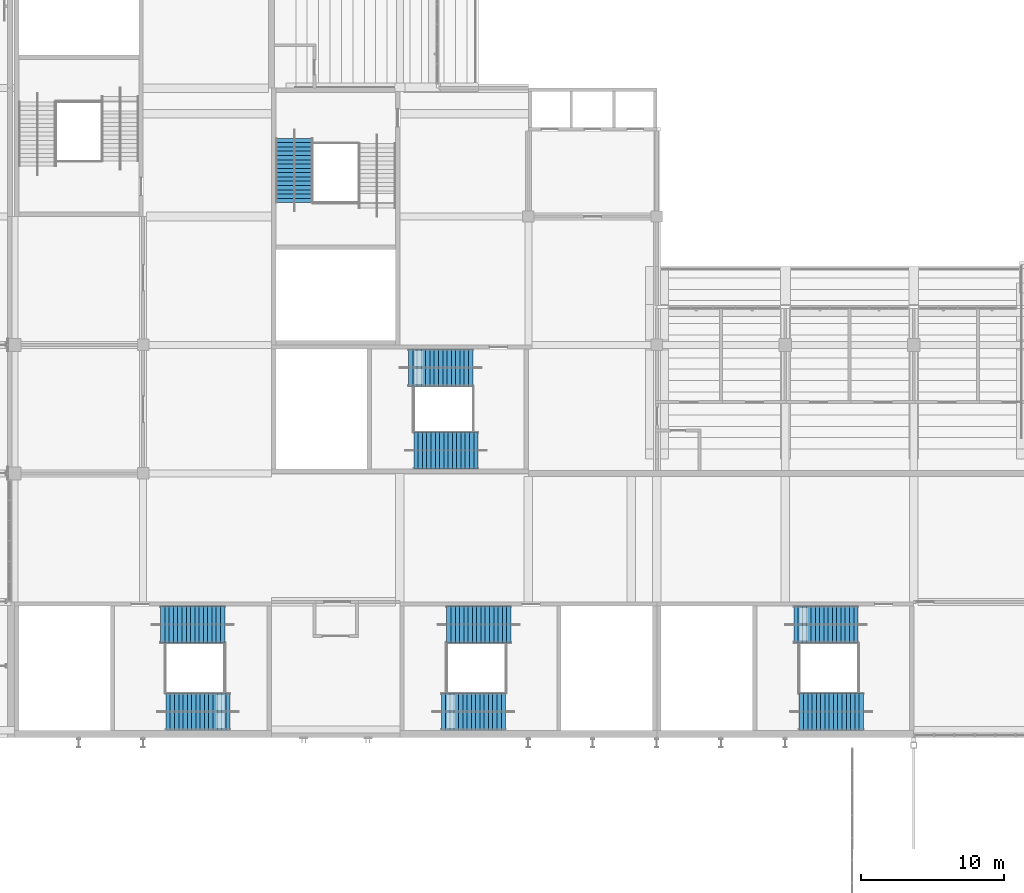
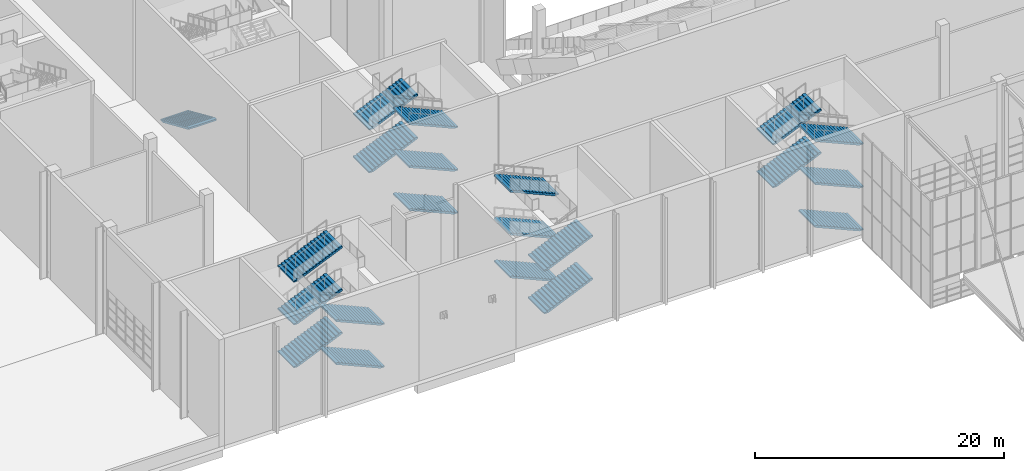
# One storey, part 96 of 182: 21 stair flights, 5 elements without a shape of their own.
"""IFC4 building model written with IfcOpenShell, lengths in metres."""

from ifc_helpers import new_model, si_unit, direction, frame, origin, place, context, subcontext, project, spatial, polyline, outline, extrude, material, type_object, element, aggregate, save


model = new_model("IFC4")

# Units and contexts
model_context = context("Model", 3, precision=1e-05, world=origin(), true_north=direction((0.0, 1.0)))
body_context = subcontext(model_context, "Body", "Model", "MODEL_VIEW")
ifc_project = project(units=[si_unit("LENGTHUNIT", "METRE"), si_unit("AREAUNIT", "SQUARE_METRE"), si_unit("VOLUMEUNIT", "CUBIC_METRE"), si_unit("PLANEANGLEUNIT", "RADIAN"), si_unit("MASSUNIT", "GRAM", prefix="KILO")], contexts=[model_context])

# Site, building, storey
site_placement = place(None, origin())
site = spatial("IfcSite", under=ifc_project, at=site_placement, CompositionType="ELEMENT")
building_placement = place(site_placement, origin())
building = spatial("IfcBuilding", under=site, at=building_placement, Name="Silverbay Arena", CompositionType="ELEMENT")
storey_placement = place(building_placement, frame((0.0, 0.0, 11.5)))
storey = spatial("IfcBuildingStorey", under=building, at=storey_placement, Name="L02", CompositionType="ELEMENT", Elevation=11.5)

# Stair, stair flights
ifc_material_1 = material(Name="Concrete Grade C45", Category="concrete")
stair_type = type_object("IfcStairType", Name="Stair 2600 wide 80 risers 131.2 x 300", PredefinedType="HALF_TURN_STAIR", material=ifc_material_1)
stair_1_placement = place(storey_placement, origin())
stair_1 = element("IfcStair", 1, at=stair_1_placement, inside=storey, type_object=stair_type, Name="Stair ST-S1 L02 to L03", PredefinedType="HALF_TURN_STAIR")
ifc_material_2 = material(Name="Concrete Grade C45", Category="concrete")
stair_flight_type = type_object("IfcStairFlightType", Name="Stair flight 2600 wide 16 risers 131.2 x 300", PredefinedType="STRAIGHT", material=ifc_material_2)
stair_flight_1_placement = place(storey_placement, frame((88.774169921875, 25.39990234375, 0.0), z_axis=(0.0, 0.0, 1.0), x_axis=(-1.0, 0.0, 0.0)))
stair_flight_1 = element("IfcStairFlight", 2, at=stair_flight_1_placement, type_object=stair_flight_type, Name="Stair ST-S1 L02 to L03 flight 1", NumberOfRisers=16, NumberOfTreads=15, PredefinedType="STRAIGHT", RiserHeight=0.13125, TreadLength=0.3, context=body_context, shape_type="SweptSolid", body=[
    extrude(outline(polyline([(0.0, 0.0), (0.0, 0.13134765625), (0.300048828125, 0.13134765625), (0.300048828125, 0.262451171875), (0.60009765625, 0.262451171875), (0.60009765625, 0.393798828125), (0.89990234375, 0.393798828125), (0.89990234375, 0.52490234375), (1.199951171875, 0.52490234375), (1.199951171875, 0.65625), (1.5, 0.65625), (1.5, 0.78759765625), (1.800048828125, 0.78759765625), (1.800048828125, 0.918701171875), (2.10009765625, 0.918701171875), (2.10009765625, 1.050048828125), (2.39990234375, 1.050048828125), (2.39990234375, 1.18115234375), (2.699951171875, 1.18115234375), (2.699951171875, 1.3125), (3.0, 1.3125), (3.0, 1.44384765625), (3.300048828125, 1.44384765625), (3.300048828125, 1.574951171875), (3.60009765625, 1.574951171875), (3.60009765625, 1.706298828125), (3.89990234375, 1.706298828125), (3.89990234375, 1.83740234375), (4.199951171875, 1.83740234375), (4.199951171875, 1.96875), (4.5, 1.96875), (4.5, 1.80517578125), (0.3740234375, 0.0), (0.0, 0.0)])), frame((0.0, 1.300048828125, 0.0), z_axis=(0.0, -1.0, 0.0), x_axis=(1.0, 0.0, 0.0)), (0.0, 0.0, 1.0), 2.60009765625),
])
stair_flight_2_placement = place(storey_placement, frame((83.89990234375, 19.300048828125, 2.10009765625), z_axis=(0.0, 0.0, 1.0), x_axis=(1.0, 0.0, 0.0)))
stair_flight_2 = element("IfcStairFlight", 3, at=stair_flight_2_placement, type_object=stair_flight_type, Name="Stair ST-S1 L02 to L03 flight 2", NumberOfRisers=16, NumberOfTreads=15, PredefinedType="STRAIGHT", RiserHeight=0.13125, TreadLength=0.3, context=body_context, shape_type="SweptSolid", body=[
    extrude(outline(polyline([(0.0, 0.0), (0.0, 0.13134765625), (0.300048828125, 0.13134765625), (0.300048828125, 0.262451171875), (0.60009765625, 0.262451171875), (0.60009765625, 0.393798828125), (0.89990234375, 0.393798828125), (0.89990234375, 0.52490234375), (1.199951171875, 0.52490234375), (1.199951171875, 0.65625), (1.5, 0.65625), (1.5, 0.78759765625), (1.800048828125, 0.78759765625), (1.800048828125, 0.918701171875), (2.10009765625, 0.918701171875), (2.10009765625, 1.050048828125), (2.39990234375, 1.050048828125), (2.39990234375, 1.18115234375), (2.699951171875, 1.18115234375), (2.699951171875, 1.3125), (3.0, 1.3125), (3.0, 1.44384765625), (3.300048828125, 1.44384765625), (3.300048828125, 1.574951171875), (3.60009765625, 1.574951171875), (3.60009765625, 1.706298828125), (3.89990234375, 1.706298828125), (3.89990234375, 1.83740234375), (4.199951171875, 1.83740234375), (4.199951171875, 1.96875), (4.5, 1.96875), (4.5, 1.80517578125), (0.3740234375, 0.0), (0.0, 0.0)])), frame((0.0, 1.300048828125, 0.0), z_axis=(0.0, -1.0, 0.0), x_axis=(1.0, 0.0, 0.0)), (0.0, 0.0, 1.0), 2.60009765625),
])
stair_flight_3_placement = place(storey_placement, frame((88.774169921875, 25.39990234375, 4.199951171875), z_axis=(0.0, 0.0, 1.0), x_axis=(-1.0, 0.0, 0.0)))
stair_flight_3 = element("IfcStairFlight", 4, at=stair_flight_3_placement, type_object=stair_flight_type, Name="Stair ST-S1 L02 to L03 flight 3", NumberOfRisers=16, NumberOfTreads=15, PredefinedType="STRAIGHT", RiserHeight=0.13125, TreadLength=0.3, context=body_context, shape_type="SweptSolid", body=[
    extrude(outline(polyline([(0.0, 0.0), (0.0, 0.13134765625), (0.300048828125, 0.13134765625), (0.300048828125, 0.262451171875), (0.60009765625, 0.262451171875), (0.60009765625, 0.393798828125), (0.89990234375, 0.393798828125), (0.89990234375, 0.52490234375), (1.199951171875, 0.52490234375), (1.199951171875, 0.65625), (1.5, 0.65625), (1.5, 0.78759765625), (1.800048828125, 0.78759765625), (1.800048828125, 0.918701171875), (2.10009765625, 0.918701171875), (2.10009765625, 1.050048828125), (2.39990234375, 1.050048828125), (2.39990234375, 1.18115234375), (2.699951171875, 1.18115234375), (2.699951171875, 1.3125), (3.0, 1.3125), (3.0, 1.44384765625), (3.300048828125, 1.44384765625), (3.300048828125, 1.574951171875), (3.60009765625, 1.574951171875), (3.60009765625, 1.706298828125), (3.89990234375, 1.706298828125), (3.89990234375, 1.83740234375), (4.199951171875, 1.83740234375), (4.199951171875, 1.96875), (4.5, 1.96875), (4.5, 1.80517578125), (0.3740234375, 0.0), (0.0, 0.0)])), frame((0.0, 1.300048828125, 0.0), z_axis=(0.0, -1.0, 0.0), x_axis=(1.0, 0.0, 0.0)), (0.0, 0.0, 1.0), 2.60009765625),
])
stair_flight_4_placement = place(storey_placement, frame((83.89990234375, 19.300048828125, 6.300048828125), z_axis=(0.0, 0.0, 1.0), x_axis=(1.0, 0.0, 0.0)))
stair_flight_4 = element("IfcStairFlight", 5, at=stair_flight_4_placement, type_object=stair_flight_type, Name="Stair ST-S1 L02 to L03 flight 4", NumberOfRisers=16, NumberOfTreads=15, PredefinedType="STRAIGHT", RiserHeight=0.13125, TreadLength=0.3, context=body_context, shape_type="SweptSolid", body=[
    extrude(outline(polyline([(0.0, 0.0), (0.0, 0.13134765625), (0.300048828125, 0.13134765625), (0.300048828125, 0.262451171875), (0.60009765625, 0.262451171875), (0.60009765625, 0.393798828125), (0.89990234375, 0.393798828125), (0.89990234375, 0.52490234375), (1.199951171875, 0.52490234375), (1.199951171875, 0.65625), (1.5, 0.65625), (1.5, 0.78759765625), (1.800048828125, 0.78759765625), (1.800048828125, 0.918701171875), (2.10009765625, 0.918701171875), (2.10009765625, 1.050048828125), (2.39990234375, 1.050048828125), (2.39990234375, 1.18115234375), (2.699951171875, 1.18115234375), (2.699951171875, 1.3125), (3.0, 1.3125), (3.0, 1.44384765625), (3.300048828125, 1.44384765625), (3.300048828125, 1.574951171875), (3.60009765625, 1.574951171875), (3.60009765625, 1.706298828125), (3.89990234375, 1.706298828125), (3.89990234375, 1.83740234375), (4.199951171875, 1.83740234375), (4.199951171875, 1.96875), (4.5, 1.96875), (4.5, 1.80517578125), (0.3740234375, 0.0), (0.0, 0.0)])), frame((0.0, 1.300048828125, 0.0), z_axis=(0.0, -1.0, 0.0), x_axis=(1.0, 0.0, 0.0)), (0.0, 0.0, 1.0), 2.60009765625),
])
stair_flight_5_placement = place(storey_placement, frame((88.774169921875, 25.39990234375, 8.39990234375), z_axis=(0.0, 0.0, 1.0), x_axis=(-1.0, 0.0, 0.0)))
stair_flight_5 = element("IfcStairFlight", 6, at=stair_flight_5_placement, type_object=stair_flight_type, Name="Stair ST-S1 L02 to L03 flight 5", NumberOfRisers=16, NumberOfTreads=15, PredefinedType="STRAIGHT", RiserHeight=0.13125, TreadLength=0.3, context=body_context, shape_type="SweptSolid", body=[
    extrude(outline(polyline([(0.0, 0.0), (0.0, 0.13134765625), (0.300048828125, 0.13134765625), (0.300048828125, 0.262451171875), (0.60009765625, 0.262451171875), (0.60009765625, 0.393798828125), (0.89990234375, 0.393798828125), (0.89990234375, 0.52490234375), (1.199951171875, 0.52490234375), (1.199951171875, 0.65625), (1.5, 0.65625), (1.5, 0.78759765625), (1.800048828125, 0.78759765625), (1.800048828125, 0.918701171875), (2.10009765625, 0.918701171875), (2.10009765625, 1.050048828125), (2.39990234375, 1.050048828125), (2.39990234375, 1.18115234375), (2.699951171875, 1.18115234375), (2.699951171875, 1.3125), (3.0, 1.3125), (3.0, 1.44384765625), (3.300048828125, 1.44384765625), (3.300048828125, 1.574951171875), (3.60009765625, 1.574951171875), (3.60009765625, 1.706298828125), (3.89990234375, 1.706298828125), (3.89990234375, 1.83740234375), (4.199951171875, 1.83740234375), (4.199951171875, 1.96875), (4.5, 1.96875), (4.5, 1.80517578125), (0.3740234375, 0.0), (0.0, 0.0)])), frame((0.0, 1.300048828125, 0.0), z_axis=(0.0, -1.0, 0.0), x_axis=(1.0, 0.0, 0.0)), (0.0, 0.0, 1.0), 2.60009765625),
])
aggregate(stair_1, [stair_flight_1, stair_flight_2, stair_flight_3, stair_flight_4, stair_flight_5])

stair_2_placement = place(storey_placement, origin())
stair_2 = element("IfcStair", 7, at=stair_2_placement, inside=storey, type_object=stair_type, Name="Stair ST-S2 L02 to L03", PredefinedType="HALF_TURN_STAIR")
stair_flight_6_placement = place(storey_placement, frame((113.47412109375, 19.300048828125, 0.0), z_axis=(0.0, 0.0, 1.0), x_axis=(-1.0, 0.0, 0.0)))
stair_flight_6 = element("IfcStairFlight", 8, at=stair_flight_6_placement, type_object=stair_flight_type, Name="Stair ST-S2 L02 to L03 flight 1", NumberOfRisers=16, NumberOfTreads=15, PredefinedType="STRAIGHT", RiserHeight=0.13125, TreadLength=0.3, context=body_context, shape_type="SweptSolid", body=[
    extrude(outline(polyline([(0.0, 0.0), (0.0, 0.13134765625), (0.300048828125, 0.13134765625), (0.300048828125, 0.262451171875), (0.60009765625, 0.262451171875), (0.60009765625, 0.393798828125), (0.89990234375, 0.393798828125), (0.89990234375, 0.52490234375), (1.199951171875, 0.52490234375), (1.199951171875, 0.65625), (1.5, 0.65625), (1.5, 0.78759765625), (1.800048828125, 0.78759765625), (1.800048828125, 0.918701171875), (2.10009765625, 0.918701171875), (2.10009765625, 1.050048828125), (2.39990234375, 1.050048828125), (2.39990234375, 1.18115234375), (2.699951171875, 1.18115234375), (2.699951171875, 1.3125), (3.0, 1.3125), (3.0, 1.44384765625), (3.300048828125, 1.44384765625), (3.300048828125, 1.574951171875), (3.60009765625, 1.574951171875), (3.60009765625, 1.706298828125), (3.89990234375, 1.706298828125), (3.89990234375, 1.83740234375), (4.199951171875, 1.83740234375), (4.199951171875, 1.96875), (4.5, 1.96875), (4.5, 1.80517578125), (0.3740234375, 0.0), (0.0, 0.0)])), frame((0.0, 1.300048828125, 0.0), z_axis=(0.0, -1.0, 0.0), x_axis=(1.0, 0.0, 0.0)), (0.0, 0.0, 1.0), 2.60009765625),
])
stair_flight_7_placement = place(storey_placement, frame((108.60009765625, 25.39990234375, 2.10009765625), z_axis=(0.0, 0.0, 1.0), x_axis=(1.0, 0.0, 0.0)))
stair_flight_7 = element("IfcStairFlight", 9, at=stair_flight_7_placement, type_object=stair_flight_type, Name="Stair ST-S2 L02 to L03 flight 2", NumberOfRisers=16, NumberOfTreads=15, PredefinedType="STRAIGHT", RiserHeight=0.13125, TreadLength=0.3, context=body_context, shape_type="SweptSolid", body=[
    extrude(outline(polyline([(0.0, 0.0), (0.0, 0.13134765625), (0.300048828125, 0.13134765625), (0.300048828125, 0.262451171875), (0.60009765625, 0.262451171875), (0.60009765625, 0.393798828125), (0.89990234375, 0.393798828125), (0.89990234375, 0.52490234375), (1.199951171875, 0.52490234375), (1.199951171875, 0.65625), (1.5, 0.65625), (1.5, 0.78759765625), (1.800048828125, 0.78759765625), (1.800048828125, 0.918701171875), (2.10009765625, 0.918701171875), (2.10009765625, 1.050048828125), (2.39990234375, 1.050048828125), (2.39990234375, 1.18115234375), (2.699951171875, 1.18115234375), (2.699951171875, 1.3125), (3.0, 1.3125), (3.0, 1.44384765625), (3.300048828125, 1.44384765625), (3.300048828125, 1.574951171875), (3.60009765625, 1.574951171875), (3.60009765625, 1.706298828125), (3.89990234375, 1.706298828125), (3.89990234375, 1.83740234375), (4.199951171875, 1.83740234375), (4.199951171875, 1.96875), (4.5, 1.96875), (4.5, 1.80517578125), (0.3740234375, 0.0), (0.0, 0.0)])), frame((0.0, 1.300048828125, 0.0), z_axis=(0.0, -1.0, 0.0), x_axis=(1.0, 0.0, 0.0)), (0.0, 0.0, 1.0), 2.60009765625),
])
stair_flight_8_placement = place(storey_placement, frame((113.47412109375, 19.300048828125, 4.199951171875), z_axis=(0.0, 0.0, 1.0), x_axis=(-1.0, 0.0, 0.0)))
stair_flight_8 = element("IfcStairFlight", 10, at=stair_flight_8_placement, type_object=stair_flight_type, Name="Stair ST-S2 L02 to L03 flight 3", NumberOfRisers=16, NumberOfTreads=15, PredefinedType="STRAIGHT", RiserHeight=0.13125, TreadLength=0.3, context=body_context, shape_type="SweptSolid", body=[
    extrude(outline(polyline([(0.0, 0.0), (0.0, 0.13134765625), (0.300048828125, 0.13134765625), (0.300048828125, 0.262451171875), (0.60009765625, 0.262451171875), (0.60009765625, 0.393798828125), (0.89990234375, 0.393798828125), (0.89990234375, 0.52490234375), (1.199951171875, 0.52490234375), (1.199951171875, 0.65625), (1.5, 0.65625), (1.5, 0.78759765625), (1.800048828125, 0.78759765625), (1.800048828125, 0.918701171875), (2.10009765625, 0.918701171875), (2.10009765625, 1.050048828125), (2.39990234375, 1.050048828125), (2.39990234375, 1.18115234375), (2.699951171875, 1.18115234375), (2.699951171875, 1.3125), (3.0, 1.3125), (3.0, 1.44384765625), (3.300048828125, 1.44384765625), (3.300048828125, 1.574951171875), (3.60009765625, 1.574951171875), (3.60009765625, 1.706298828125), (3.89990234375, 1.706298828125), (3.89990234375, 1.83740234375), (4.199951171875, 1.83740234375), (4.199951171875, 1.96875), (4.5, 1.96875), (4.5, 1.80517578125), (0.3740234375, 0.0), (0.0, 0.0)])), frame((0.0, 1.300048828125, 0.0), z_axis=(0.0, -1.0, 0.0), x_axis=(1.0, 0.0, 0.0)), (0.0, 0.0, 1.0), 2.60009765625),
])
stair_flight_9_placement = place(storey_placement, frame((108.60009765625, 25.39990234375, 6.300048828125), z_axis=(0.0, 0.0, 1.0), x_axis=(1.0, 0.0, 0.0)))
stair_flight_9 = element("IfcStairFlight", 11, at=stair_flight_9_placement, type_object=stair_flight_type, Name="Stair ST-S2 L02 to L03 flight 4", NumberOfRisers=16, NumberOfTreads=15, PredefinedType="STRAIGHT", RiserHeight=0.13125, TreadLength=0.3, context=body_context, shape_type="SweptSolid", body=[
    extrude(outline(polyline([(0.0, 0.0), (0.0, 0.13134765625), (0.300048828125, 0.13134765625), (0.300048828125, 0.262451171875), (0.60009765625, 0.262451171875), (0.60009765625, 0.393798828125), (0.89990234375, 0.393798828125), (0.89990234375, 0.52490234375), (1.199951171875, 0.52490234375), (1.199951171875, 0.65625), (1.5, 0.65625), (1.5, 0.78759765625), (1.800048828125, 0.78759765625), (1.800048828125, 0.918701171875), (2.10009765625, 0.918701171875), (2.10009765625, 1.050048828125), (2.39990234375, 1.050048828125), (2.39990234375, 1.18115234375), (2.699951171875, 1.18115234375), (2.699951171875, 1.3125), (3.0, 1.3125), (3.0, 1.44384765625), (3.300048828125, 1.44384765625), (3.300048828125, 1.574951171875), (3.60009765625, 1.574951171875), (3.60009765625, 1.706298828125), (3.89990234375, 1.706298828125), (3.89990234375, 1.83740234375), (4.199951171875, 1.83740234375), (4.199951171875, 1.96875), (4.5, 1.96875), (4.5, 1.80517578125), (0.3740234375, 0.0), (0.0, 0.0)])), frame((0.0, 1.300048828125, 0.0), z_axis=(0.0, -1.0, 0.0), x_axis=(1.0, 0.0, 0.0)), (0.0, 0.0, 1.0), 2.60009765625),
])
stair_flight_10_placement = place(storey_placement, frame((113.47412109375, 19.300048828125, 8.39990234375), z_axis=(0.0, 0.0, 1.0), x_axis=(-1.0, 0.0, 0.0)))
stair_flight_10 = element("IfcStairFlight", 12, at=stair_flight_10_placement, type_object=stair_flight_type, Name="Stair ST-S2 L02 to L03 flight 5", NumberOfRisers=16, NumberOfTreads=15, PredefinedType="STRAIGHT", RiserHeight=0.13125, TreadLength=0.3, context=body_context, shape_type="SweptSolid", body=[
    extrude(outline(polyline([(0.0, 0.0), (0.0, 0.13134765625), (0.300048828125, 0.13134765625), (0.300048828125, 0.262451171875), (0.60009765625, 0.262451171875), (0.60009765625, 0.393798828125), (0.89990234375, 0.393798828125), (0.89990234375, 0.52490234375), (1.199951171875, 0.52490234375), (1.199951171875, 0.65625), (1.5, 0.65625), (1.5, 0.78759765625), (1.800048828125, 0.78759765625), (1.800048828125, 0.918701171875), (2.10009765625, 0.918701171875), (2.10009765625, 1.050048828125), (2.39990234375, 1.050048828125), (2.39990234375, 1.18115234375), (2.699951171875, 1.18115234375), (2.699951171875, 1.3125), (3.0, 1.3125), (3.0, 1.44384765625), (3.300048828125, 1.44384765625), (3.300048828125, 1.574951171875), (3.60009765625, 1.574951171875), (3.60009765625, 1.706298828125), (3.89990234375, 1.706298828125), (3.89990234375, 1.83740234375), (4.199951171875, 1.83740234375), (4.199951171875, 1.96875), (4.5, 1.96875), (4.5, 1.80517578125), (0.3740234375, 0.0), (0.0, 0.0)])), frame((0.0, 1.300048828125, 0.0), z_axis=(0.0, -1.0, 0.0), x_axis=(1.0, 0.0, 0.0)), (0.0, 0.0, 1.0), 2.60009765625),
])
aggregate(stair_2, [stair_flight_6, stair_flight_7, stair_flight_8, stair_flight_9, stair_flight_10])

stair_3_placement = place(storey_placement, origin())
stair_3 = element("IfcStair", 13, at=stair_3_placement, inside=storey, type_object=stair_type, Name="Stair ST-S5 L02 to L03", PredefinedType="HALF_TURN_STAIR")
stair_flight_11_placement = place(storey_placement, frame((64.225830078125, 25.39990234375, 0.0), z_axis=(0.0, 0.0, 1.0), x_axis=(1.0, 0.0, 0.0)))
stair_flight_11 = element("IfcStairFlight", 14, at=stair_flight_11_placement, type_object=stair_flight_type, Name="Stair ST-S5 L02 to L03 flight 1", NumberOfRisers=16, NumberOfTreads=15, PredefinedType="STRAIGHT", RiserHeight=0.13125, TreadLength=0.3, context=body_context, shape_type="SweptSolid", body=[
    extrude(outline(polyline([(0.0, 0.0), (0.0, 0.13134765625), (0.300048828125, 0.13134765625), (0.300048828125, 0.262451171875), (0.60009765625, 0.262451171875), (0.60009765625, 0.393798828125), (0.89990234375, 0.393798828125), (0.89990234375, 0.52490234375), (1.199951171875, 0.52490234375), (1.199951171875, 0.65625), (1.5, 0.65625), (1.5, 0.78759765625), (1.800048828125, 0.78759765625), (1.800048828125, 0.918701171875), (2.10009765625, 0.918701171875), (2.10009765625, 1.050048828125), (2.39990234375, 1.050048828125), (2.39990234375, 1.18115234375), (2.699951171875, 1.18115234375), (2.699951171875, 1.3125), (3.0, 1.3125), (3.0, 1.44384765625), (3.300048828125, 1.44384765625), (3.300048828125, 1.574951171875), (3.60009765625, 1.574951171875), (3.60009765625, 1.706298828125), (3.89990234375, 1.706298828125), (3.89990234375, 1.83740234375), (4.199951171875, 1.83740234375), (4.199951171875, 1.96875), (4.5, 1.96875), (4.5, 1.80517578125), (0.3740234375, 0.0), (0.0, 0.0)])), frame((0.0, 1.300048828125, 0.0), z_axis=(0.0, -1.0, 0.0), x_axis=(1.0, 0.0, 0.0)), (0.0, 0.0, 1.0), 2.60009765625),
])
stair_flight_12_placement = place(storey_placement, frame((69.10009765625, 19.300048828125, 2.10009765625), z_axis=(0.0, 0.0, 1.0), x_axis=(-1.0, 0.0, 0.0)))
stair_flight_12 = element("IfcStairFlight", 15, at=stair_flight_12_placement, type_object=stair_flight_type, Name="Stair ST-S5 L02 to L03 flight 2", NumberOfRisers=16, NumberOfTreads=15, PredefinedType="STRAIGHT", RiserHeight=0.13125, TreadLength=0.3, context=body_context, shape_type="SweptSolid", body=[
    extrude(outline(polyline([(0.0, 0.0), (0.0, 0.13134765625), (0.300048828125, 0.13134765625), (0.300048828125, 0.262451171875), (0.60009765625, 0.262451171875), (0.60009765625, 0.393798828125), (0.89990234375, 0.393798828125), (0.89990234375, 0.52490234375), (1.199951171875, 0.52490234375), (1.199951171875, 0.65625), (1.5, 0.65625), (1.5, 0.78759765625), (1.800048828125, 0.78759765625), (1.800048828125, 0.918701171875), (2.10009765625, 0.918701171875), (2.10009765625, 1.050048828125), (2.39990234375, 1.050048828125), (2.39990234375, 1.18115234375), (2.699951171875, 1.18115234375), (2.699951171875, 1.3125), (3.0, 1.3125), (3.0, 1.44384765625), (3.300048828125, 1.44384765625), (3.300048828125, 1.574951171875), (3.60009765625, 1.574951171875), (3.60009765625, 1.706298828125), (3.89990234375, 1.706298828125), (3.89990234375, 1.83740234375), (4.199951171875, 1.83740234375), (4.199951171875, 1.96875), (4.5, 1.96875), (4.5, 1.80517578125), (0.3740234375, 0.0), (0.0, 0.0)])), frame((0.0, 1.300048828125, 0.0), z_axis=(0.0, -1.0, 0.0), x_axis=(1.0, 0.0, 0.0)), (0.0, 0.0, 1.0), 2.60009765625),
])
stair_flight_13_placement = place(storey_placement, frame((64.225830078125, 25.39990234375, 4.199951171875), z_axis=(0.0, 0.0, 1.0), x_axis=(1.0, 0.0, 0.0)))
stair_flight_13 = element("IfcStairFlight", 16, at=stair_flight_13_placement, type_object=stair_flight_type, Name="Stair ST-S5 L02 to L03 flight 3", NumberOfRisers=16, NumberOfTreads=15, PredefinedType="STRAIGHT", RiserHeight=0.13125, TreadLength=0.3, context=body_context, shape_type="SweptSolid", body=[
    extrude(outline(polyline([(0.0, 0.0), (0.0, 0.13134765625), (0.300048828125, 0.13134765625), (0.300048828125, 0.262451171875), (0.60009765625, 0.262451171875), (0.60009765625, 0.393798828125), (0.89990234375, 0.393798828125), (0.89990234375, 0.52490234375), (1.199951171875, 0.52490234375), (1.199951171875, 0.65625), (1.5, 0.65625), (1.5, 0.78759765625), (1.800048828125, 0.78759765625), (1.800048828125, 0.918701171875), (2.10009765625, 0.918701171875), (2.10009765625, 1.050048828125), (2.39990234375, 1.050048828125), (2.39990234375, 1.18115234375), (2.699951171875, 1.18115234375), (2.699951171875, 1.3125), (3.0, 1.3125), (3.0, 1.44384765625), (3.300048828125, 1.44384765625), (3.300048828125, 1.574951171875), (3.60009765625, 1.574951171875), (3.60009765625, 1.706298828125), (3.89990234375, 1.706298828125), (3.89990234375, 1.83740234375), (4.199951171875, 1.83740234375), (4.199951171875, 1.96875), (4.5, 1.96875), (4.5, 1.80517578125), (0.3740234375, 0.0), (0.0, 0.0)])), frame((0.0, 1.300048828125, 0.0), z_axis=(0.0, -1.0, 0.0), x_axis=(1.0, 0.0, 0.0)), (0.0, 0.0, 1.0), 2.60009765625),
])
stair_flight_14_placement = place(storey_placement, frame((69.10009765625, 19.300048828125, 6.300048828125), z_axis=(0.0, 0.0, 1.0), x_axis=(-1.0, 0.0, 0.0)))
stair_flight_14 = element("IfcStairFlight", 17, at=stair_flight_14_placement, type_object=stair_flight_type, Name="Stair ST-S5 L02 to L03 flight 4", NumberOfRisers=16, NumberOfTreads=15, PredefinedType="STRAIGHT", RiserHeight=0.13125, TreadLength=0.3, context=body_context, shape_type="SweptSolid", body=[
    extrude(outline(polyline([(0.0, 0.0), (0.0, 0.13134765625), (0.300048828125, 0.13134765625), (0.300048828125, 0.262451171875), (0.60009765625, 0.262451171875), (0.60009765625, 0.393798828125), (0.89990234375, 0.393798828125), (0.89990234375, 0.52490234375), (1.199951171875, 0.52490234375), (1.199951171875, 0.65625), (1.5, 0.65625), (1.5, 0.78759765625), (1.800048828125, 0.78759765625), (1.800048828125, 0.918701171875), (2.10009765625, 0.918701171875), (2.10009765625, 1.050048828125), (2.39990234375, 1.050048828125), (2.39990234375, 1.18115234375), (2.699951171875, 1.18115234375), (2.699951171875, 1.3125), (3.0, 1.3125), (3.0, 1.44384765625), (3.300048828125, 1.44384765625), (3.300048828125, 1.574951171875), (3.60009765625, 1.574951171875), (3.60009765625, 1.706298828125), (3.89990234375, 1.706298828125), (3.89990234375, 1.83740234375), (4.199951171875, 1.83740234375), (4.199951171875, 1.96875), (4.5, 1.96875), (4.5, 1.80517578125), (0.3740234375, 0.0), (0.0, 0.0)])), frame((0.0, 1.300048828125, 0.0), z_axis=(0.0, -1.0, 0.0), x_axis=(1.0, 0.0, 0.0)), (0.0, 0.0, 1.0), 2.60009765625),
])
stair_flight_15_placement = place(storey_placement, frame((64.225830078125, 25.39990234375, 8.39990234375), z_axis=(0.0, 0.0, 1.0), x_axis=(1.0, 0.0, 0.0)))
stair_flight_15 = element("IfcStairFlight", 18, at=stair_flight_15_placement, type_object=stair_flight_type, Name="Stair ST-S5 L02 to L03 flight 5", NumberOfRisers=16, NumberOfTreads=15, PredefinedType="STRAIGHT", RiserHeight=0.13125, TreadLength=0.3, context=body_context, shape_type="SweptSolid", body=[
    extrude(outline(polyline([(0.0, 0.0), (0.0, 0.13134765625), (0.300048828125, 0.13134765625), (0.300048828125, 0.262451171875), (0.60009765625, 0.262451171875), (0.60009765625, 0.393798828125), (0.89990234375, 0.393798828125), (0.89990234375, 0.52490234375), (1.199951171875, 0.52490234375), (1.199951171875, 0.65625), (1.5, 0.65625), (1.5, 0.78759765625), (1.800048828125, 0.78759765625), (1.800048828125, 0.918701171875), (2.10009765625, 0.918701171875), (2.10009765625, 1.050048828125), (2.39990234375, 1.050048828125), (2.39990234375, 1.18115234375), (2.699951171875, 1.18115234375), (2.699951171875, 1.3125), (3.0, 1.3125), (3.0, 1.44384765625), (3.300048828125, 1.44384765625), (3.300048828125, 1.574951171875), (3.60009765625, 1.574951171875), (3.60009765625, 1.706298828125), (3.89990234375, 1.706298828125), (3.89990234375, 1.83740234375), (4.199951171875, 1.83740234375), (4.199951171875, 1.96875), (4.5, 1.96875), (4.5, 1.80517578125), (0.3740234375, 0.0), (0.0, 0.0)])), frame((0.0, 1.300048828125, 0.0), z_axis=(0.0, -1.0, 0.0), x_axis=(1.0, 0.0, 0.0)), (0.0, 0.0, 1.0), 2.60009765625),
])
aggregate(stair_3, [stair_flight_11, stair_flight_12, stair_flight_13, stair_flight_14, stair_flight_15])

stair_4_placement = place(storey_placement, origin())
stair_4 = element("IfcStair", 19, at=stair_4_placement, inside=storey, type_object=stair_type, Name="Stair ST-SW1 L02 to L03", PredefinedType="HALF_TURN_STAIR")
stair_flight_16_placement = place(storey_placement, frame((86.47412109375, 37.60009765625, 0.0), z_axis=(0.0, 0.0, 1.0), x_axis=(-1.0, 0.0, 0.0)))
stair_flight_16 = element("IfcStairFlight", 20, at=stair_flight_16_placement, type_object=stair_flight_type, Name="Stair ST-SW1 L02 to L03 flight 1", NumberOfRisers=16, NumberOfTreads=15, PredefinedType="STRAIGHT", RiserHeight=0.13125, TreadLength=0.3, context=body_context, shape_type="SweptSolid", body=[
    extrude(outline(polyline([(0.0, 0.0), (0.0, 0.13134765625), (0.300048828125, 0.13134765625), (0.300048828125, 0.262451171875), (0.60009765625, 0.262451171875), (0.60009765625, 0.393798828125), (0.89990234375, 0.393798828125), (0.89990234375, 0.52490234375), (1.199951171875, 0.52490234375), (1.199951171875, 0.65625), (1.5, 0.65625), (1.5, 0.78759765625), (1.800048828125, 0.78759765625), (1.800048828125, 0.918701171875), (2.10009765625, 0.918701171875), (2.10009765625, 1.050048828125), (2.39990234375, 1.050048828125), (2.39990234375, 1.18115234375), (2.699951171875, 1.18115234375), (2.699951171875, 1.3125), (3.0, 1.3125), (3.0, 1.44384765625), (3.300048828125, 1.44384765625), (3.300048828125, 1.574951171875), (3.60009765625, 1.574951171875), (3.60009765625, 1.706298828125), (3.89990234375, 1.706298828125), (3.89990234375, 1.83740234375), (4.199951171875, 1.83740234375), (4.199951171875, 1.96875), (4.5, 1.96875), (4.5, 1.80517578125), (0.3740234375, 0.0), (0.0, 0.0)])), frame((0.0, 1.300048828125, 0.0), z_axis=(0.0, -1.0, 0.0), x_axis=(1.0, 0.0, 0.0)), (0.0, 0.0, 1.0), 2.60009765625),
])
stair_flight_17_placement = place(storey_placement, frame((81.60009765625, 43.39990234375, 2.10009765625), z_axis=(0.0, 0.0, 1.0), x_axis=(1.0, 0.0, 0.0)))
stair_flight_17 = element("IfcStairFlight", 21, at=stair_flight_17_placement, type_object=stair_flight_type, Name="Stair ST-SW1 L02 to L03 flight 2", NumberOfRisers=16, NumberOfTreads=15, PredefinedType="STRAIGHT", RiserHeight=0.13125, TreadLength=0.3, context=body_context, shape_type="SweptSolid", body=[
    extrude(outline(polyline([(0.0, 0.0), (0.0, 0.13134765625), (0.300048828125, 0.13134765625), (0.300048828125, 0.262451171875), (0.60009765625, 0.262451171875), (0.60009765625, 0.393798828125), (0.89990234375, 0.393798828125), (0.89990234375, 0.52490234375), (1.199951171875, 0.52490234375), (1.199951171875, 0.65625), (1.5, 0.65625), (1.5, 0.78759765625), (1.800048828125, 0.78759765625), (1.800048828125, 0.918701171875), (2.10009765625, 0.918701171875), (2.10009765625, 1.050048828125), (2.39990234375, 1.050048828125), (2.39990234375, 1.18115234375), (2.699951171875, 1.18115234375), (2.699951171875, 1.3125), (3.0, 1.3125), (3.0, 1.44384765625), (3.300048828125, 1.44384765625), (3.300048828125, 1.574951171875), (3.60009765625, 1.574951171875), (3.60009765625, 1.706298828125), (3.89990234375, 1.706298828125), (3.89990234375, 1.83740234375), (4.199951171875, 1.83740234375), (4.199951171875, 1.96875), (4.5, 1.96875), (4.5, 1.80517578125), (0.3740234375, 0.0), (0.0, 0.0)])), frame((0.0, 1.300048828125, 0.0), z_axis=(0.0, -1.0, 0.0), x_axis=(1.0, 0.0, 0.0)), (0.0, 0.0, 1.0), 2.60009765625),
])
stair_flight_18_placement = place(storey_placement, frame((86.47412109375, 37.60009765625, 4.199951171875), z_axis=(0.0, 0.0, 1.0), x_axis=(-1.0, 0.0, 0.0)))
stair_flight_18 = element("IfcStairFlight", 22, at=stair_flight_18_placement, type_object=stair_flight_type, Name="Stair ST-SW1 L02 to L03 flight 3", NumberOfRisers=16, NumberOfTreads=15, PredefinedType="STRAIGHT", RiserHeight=0.13125, TreadLength=0.3, context=body_context, shape_type="SweptSolid", body=[
    extrude(outline(polyline([(0.0, 0.0), (0.0, 0.13134765625), (0.300048828125, 0.13134765625), (0.300048828125, 0.262451171875), (0.60009765625, 0.262451171875), (0.60009765625, 0.393798828125), (0.89990234375, 0.393798828125), (0.89990234375, 0.52490234375), (1.199951171875, 0.52490234375), (1.199951171875, 0.65625), (1.5, 0.65625), (1.5, 0.78759765625), (1.800048828125, 0.78759765625), (1.800048828125, 0.918701171875), (2.10009765625, 0.918701171875), (2.10009765625, 1.050048828125), (2.39990234375, 1.050048828125), (2.39990234375, 1.18115234375), (2.699951171875, 1.18115234375), (2.699951171875, 1.3125), (3.0, 1.3125), (3.0, 1.44384765625), (3.300048828125, 1.44384765625), (3.300048828125, 1.574951171875), (3.60009765625, 1.574951171875), (3.60009765625, 1.706298828125), (3.89990234375, 1.706298828125), (3.89990234375, 1.83740234375), (4.199951171875, 1.83740234375), (4.199951171875, 1.96875), (4.5, 1.96875), (4.5, 1.80517578125), (0.3740234375, 0.0), (0.0, 0.0)])), frame((0.0, 1.300048828125, 0.0), z_axis=(0.0, -1.0, 0.0), x_axis=(1.0, 0.0, 0.0)), (0.0, 0.0, 1.0), 2.60009765625),
])
stair_flight_19_placement = place(storey_placement, frame((81.60009765625, 43.39990234375, 6.300048828125), z_axis=(0.0, 0.0, 1.0), x_axis=(1.0, 0.0, 0.0)))
stair_flight_19 = element("IfcStairFlight", 23, at=stair_flight_19_placement, type_object=stair_flight_type, Name="Stair ST-SW1 L02 to L03 flight 4", NumberOfRisers=16, NumberOfTreads=15, PredefinedType="STRAIGHT", RiserHeight=0.13125, TreadLength=0.3, context=body_context, shape_type="SweptSolid", body=[
    extrude(outline(polyline([(0.0, 0.0), (0.0, 0.13134765625), (0.300048828125, 0.13134765625), (0.300048828125, 0.262451171875), (0.60009765625, 0.262451171875), (0.60009765625, 0.393798828125), (0.89990234375, 0.393798828125), (0.89990234375, 0.52490234375), (1.199951171875, 0.52490234375), (1.199951171875, 0.65625), (1.5, 0.65625), (1.5, 0.78759765625), (1.800048828125, 0.78759765625), (1.800048828125, 0.918701171875), (2.10009765625, 0.918701171875), (2.10009765625, 1.050048828125), (2.39990234375, 1.050048828125), (2.39990234375, 1.18115234375), (2.699951171875, 1.18115234375), (2.699951171875, 1.3125), (3.0, 1.3125), (3.0, 1.44384765625), (3.300048828125, 1.44384765625), (3.300048828125, 1.574951171875), (3.60009765625, 1.574951171875), (3.60009765625, 1.706298828125), (3.89990234375, 1.706298828125), (3.89990234375, 1.83740234375), (4.199951171875, 1.83740234375), (4.199951171875, 1.96875), (4.5, 1.96875), (4.5, 1.80517578125), (0.3740234375, 0.0), (0.0, 0.0)])), frame((0.0, 1.300048828125, 0.0), z_axis=(0.0, -1.0, 0.0), x_axis=(1.0, 0.0, 0.0)), (0.0, 0.0, 1.0), 2.60009765625),
])
stair_flight_20_placement = place(storey_placement, frame((86.47412109375, 37.60009765625, 8.39990234375), z_axis=(0.0, 0.0, 1.0), x_axis=(-1.0, 0.0, 0.0)))
stair_flight_20 = element("IfcStairFlight", 24, at=stair_flight_20_placement, type_object=stair_flight_type, Name="Stair ST-SW1 L02 to L03 flight 5", NumberOfRisers=16, NumberOfTreads=15, PredefinedType="STRAIGHT", RiserHeight=0.13125, TreadLength=0.3, context=body_context, shape_type="SweptSolid", body=[
    extrude(outline(polyline([(0.0, 0.0), (0.0, 0.13134765625), (0.300048828125, 0.13134765625), (0.300048828125, 0.262451171875), (0.60009765625, 0.262451171875), (0.60009765625, 0.393798828125), (0.89990234375, 0.393798828125), (0.89990234375, 0.52490234375), (1.199951171875, 0.52490234375), (1.199951171875, 0.65625), (1.5, 0.65625), (1.5, 0.78759765625), (1.800048828125, 0.78759765625), (1.800048828125, 0.918701171875), (2.10009765625, 0.918701171875), (2.10009765625, 1.050048828125), (2.39990234375, 1.050048828125), (2.39990234375, 1.18115234375), (2.699951171875, 1.18115234375), (2.699951171875, 1.3125), (3.0, 1.3125), (3.0, 1.44384765625), (3.300048828125, 1.44384765625), (3.300048828125, 1.574951171875), (3.60009765625, 1.574951171875), (3.60009765625, 1.706298828125), (3.89990234375, 1.706298828125), (3.89990234375, 1.83740234375), (4.199951171875, 1.83740234375), (4.199951171875, 1.96875), (4.5, 1.96875), (4.5, 1.80517578125), (0.3740234375, 0.0), (0.0, 0.0)])), frame((0.0, 1.300048828125, 0.0), z_axis=(0.0, -1.0, 0.0), x_axis=(1.0, 0.0, 0.0)), (0.0, 0.0, 1.0), 2.60009765625),
])
aggregate(stair_4, [stair_flight_16, stair_flight_17, stair_flight_18, stair_flight_19, stair_flight_20])

# Stair, stair flight
stair_5_placement = place(storey_placement, origin())
stair_5 = element("IfcStair", 25, at=stair_5_placement, inside=storey, type_object=stair_type, Name="Stair ST-SW2 L02 to L03", PredefinedType="HALF_TURN_STAIR")
stair_flight_21_placement = place(storey_placement, frame((73.60009765625, 59.47412109375, 0.0), z_axis=(0.0, 0.0, 1.0), x_axis=(0.0, -1.0, 0.0)))
stair_flight_21 = element("IfcStairFlight", 26, at=stair_flight_21_placement, type_object=stair_flight_type, Name="Stair ST-SW2 L02 to L03 flight 1", NumberOfRisers=16, NumberOfTreads=15, PredefinedType="STRAIGHT", RiserHeight=0.13125, TreadLength=0.3, context=body_context, shape_type="SweptSolid", body=[
    extrude(outline(polyline([(0.0, 0.0), (0.0, 0.13134765625), (0.300048828125, 0.13134765625), (0.300048828125, 0.262451171875), (0.60009765625, 0.262451171875), (0.60009765625, 0.393798828125), (0.89990234375, 0.393798828125), (0.89990234375, 0.52490234375), (1.199951171875, 0.52490234375), (1.199951171875, 0.65625), (1.5, 0.65625), (1.5, 0.78759765625), (1.800048828125, 0.78759765625), (1.800048828125, 0.918701171875), (2.10009765625, 0.918701171875), (2.10009765625, 1.050048828125), (2.39990234375, 1.050048828125), (2.39990234375, 1.18115234375), (2.699951171875, 1.18115234375), (2.699951171875, 1.3125), (3.0, 1.3125), (3.0, 1.44384765625), (3.300048828125, 1.44384765625), (3.300048828125, 1.574951171875), (3.60009765625, 1.574951171875), (3.60009765625, 1.706298828125), (3.89990234375, 1.706298828125), (3.89990234375, 1.83740234375), (4.199951171875, 1.83740234375), (4.199951171875, 1.96875), (4.5, 1.96875), (4.5, 1.80517578125), (0.3740234375, 0.0), (0.0, 0.0)])), frame((0.0, 1.300048828125, 0.0), z_axis=(0.0, -1.0, 0.0), x_axis=(1.0, 0.0, 0.0)), (0.0, 0.0, 1.0), 2.60009765625),
])
aggregate(stair_5, [stair_flight_21])

save(model, "model.ifc")
